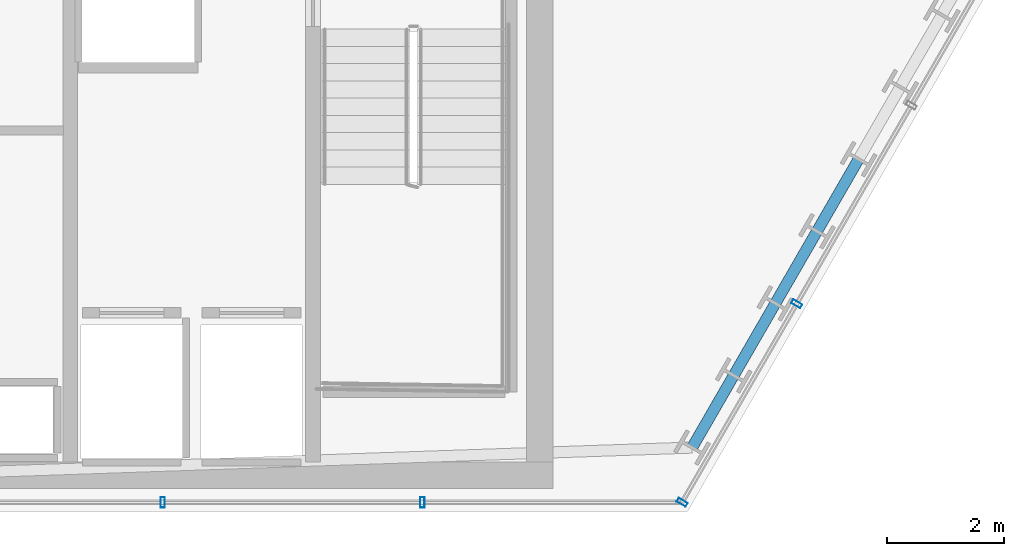
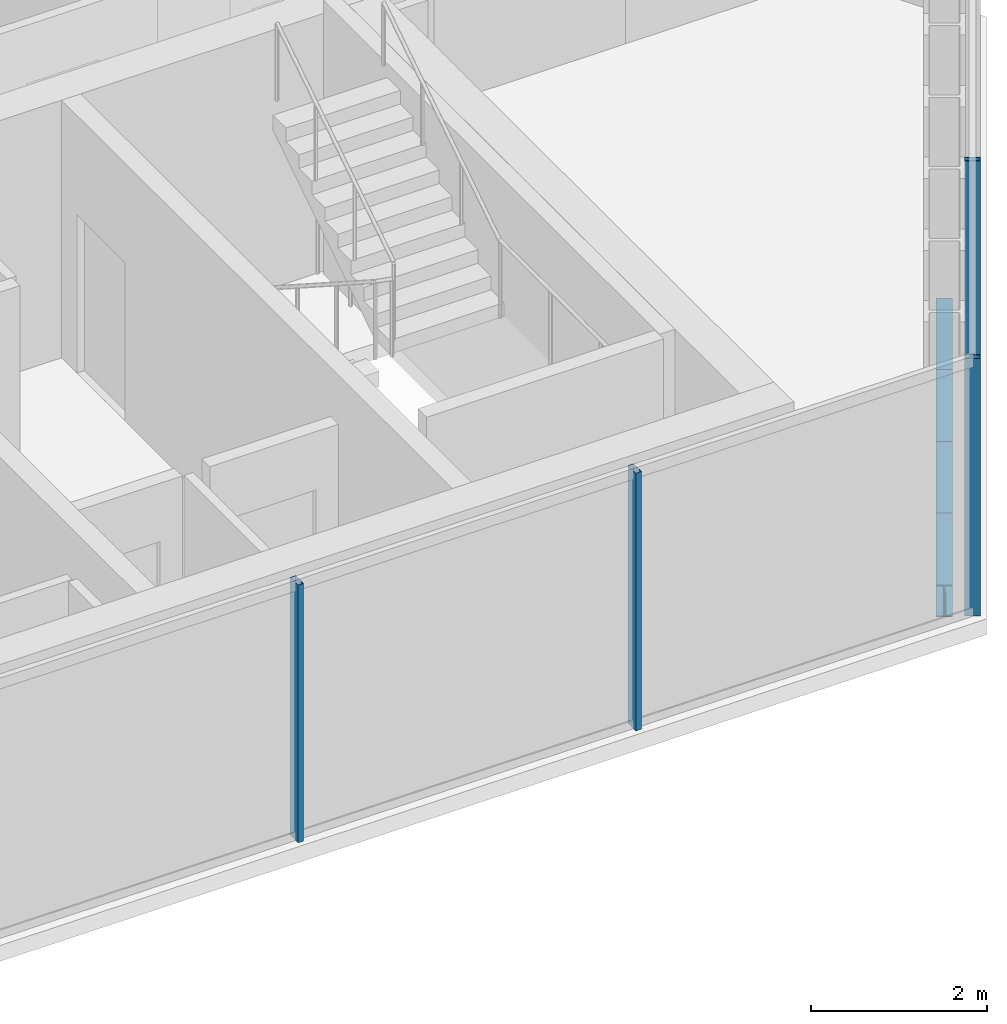
# One storey, part 15 of 31: 4 beams, 4 members, 2 elements without a shape of their own.
"""IFC4 building model written with IfcOpenShell, lengths in metres."""

from ifc_helpers import new_model, si_unit, direction, frame, origin, origin_2d, place, context, subcontext, project, spatial, hollow_rectangle, i_section, extrude, material, layer, layer_set, material_profile, profile_set, type_object, element, aggregate, save


model = new_model("IFC4")

# Units and contexts
model_context = context("Model", 3, precision=1e-05, world=origin(), true_north=direction((0.0, 1.0)))
body_context = subcontext(model_context, "Body", "Model", "MODEL_VIEW")
ifc_project = project(units=[si_unit("LENGTHUNIT", "METRE"), si_unit("AREAUNIT", "SQUARE_METRE"), si_unit("VOLUMEUNIT", "CUBIC_METRE"), si_unit("PLANEANGLEUNIT", "RADIAN"), si_unit("MASSUNIT", "GRAM", prefix="KILO")], contexts=[model_context])

# Site, building, storey
site_placement = place(None, origin())
site = spatial("IfcSite", under=ifc_project, at=site_placement, CompositionType="ELEMENT")
building_placement = place(site_placement, origin())
building = spatial("IfcBuilding", under=site, at=building_placement, Name="Ndaravel Arena Tower", CompositionType="ELEMENT")
storey_placement = place(building_placement, frame((0.0, 0.0, 138.39990234375)))
storey = spatial("IfcBuildingStorey", under=building, at=storey_placement, Name="L32", CompositionType="ELEMENT", Elevation=138.39990234375)

# Beams
ifc_material_1 = material(Name="Steel S355", Category="steel")
ifc_material_profile_1 = material_profile(ifc_material_1, i_section(OverallWidth=0.18994140625, OverallDepth=0.449951171875, WebThickness=0.009521484375, FlangeThickness=0.0146484375, FilletRadius=0.02099609375, at=origin_2d()), Name="IPE 450")
ifc_profile_set_1 = profile_set([ifc_material_profile_1], Name="Steel S355")
beam_type = type_object("IfcBeamType", Name="BM-SPAN-IPE450", PredefinedType="SPANDREL", material=ifc_profile_set_1)
for number, where, z_axis, x_axis, name in (
    (1, (59.931396484375, 6.096435546875, -0.44482421875), (0.500049018998, 0.865997100803, 0.0), (-0.865997100803, 0.500049018998, 0.0), "L32 Perimeter Spandrel Beam SP-02"),
    (2, (60.643310546875, 7.329345703125, -0.44482421875), (0.499920397431, 0.866071357471, 0.0), (-0.866071357471, 0.499920397431, 0.0), "L32 Perimeter Spandrel Beam SP-03"),
    (3, (61.35498046875, 8.562255859375, -0.44482421875), (0.500049018998, 0.865997100803, 0.0), (-0.865997100803, 0.500049018998, 0.0), "L32 Perimeter Spandrel Beam SP-04"),
    (4, (62.06689453125, 9.795166015625, -0.44482421875), (0.500049018998, 0.865997100803, 0.0), (-0.865997100803, 0.500049018998, 0.0), "L32 Perimeter Spandrel Beam SP-05"),
):
    element("IfcBeam", number, at=place(storey_placement, frame(where, z_axis=z_axis, x_axis=x_axis)), inside=storey, type_object=beam_type, Name=name, PredefinedType="SPANDREL", context=body_context, shape_type="SweptSolid", body=[
        extrude(i_section(OverallWidth=0.18994140625, OverallDepth=0.449951171875, WebThickness=0.009521484375, FlangeThickness=0.0146484375, FilletRadius=0.02099609375, at=origin_2d()), origin(), (0.0, 0.0, 1.0), 1.423583984375),
    ])

# Curtain wall, members
ifc_material_2 = material(Name="Aluminium", Category="aluminium")
ifc_layer_1 = layer(ifc_material_2, 0.179931640625)
ifc_layer_set_1 = layer_set([ifc_layer_1], Name="Aluminium")
curtain_wall_type_1 = type_object("IfcCurtainWallType", Name="CW-SYS-03", PredefinedType="NOTDEFINED", material=ifc_layer_set_1)
curtain_wall_1_placement = place(storey_placement, origin())
curtain_wall_1 = element("IfcCurtainWall", 5, at=curtain_wall_1_placement, inside=storey, type_object=curtain_wall_type_1, Name="L32 Faceted Crystal Curtain Wall CW-L32-E01", PredefinedType="NOTDEFINED")
ifc_material_3 = material(Name="Aluminium", Category="aluminium")
ifc_material_profile_2 = material_profile(ifc_material_3, hollow_rectangle(XDim=0.074951171875, YDim=0.179931640625, WallThickness=0.00390625, at=origin_2d()), Name="CW MULLION 75x180x4")
ifc_profile_set_2 = profile_set([ifc_material_profile_2], Name="Aluminium")
member_type = type_object("IfcMemberType", Name="MEM-CW-MUL180", PredefinedType="MULLION", material=ifc_profile_set_2)
member_1_placement = place(storey_placement, frame((50.880126953125, 5.159912109375, 0.0), z_axis=(0.0, 0.0, 1.0), x_axis=(1.0, 0.0, 0.0)))
member_1 = element("IfcMember", 6, at=member_1_placement, type_object=member_type, Name="CW-L32-E01 Mullion 06", PredefinedType="MULLION", context=body_context, shape_type="SweptSolid", body=[
    extrude(hollow_rectangle(XDim=0.074951171875, YDim=0.179931640625, WallThickness=0.00390625, at=origin_2d()), origin(), (0.0, 0.0, 1.0), 3.580078125),
])
member_2_placement = place(storey_placement, frame((55.320068359375, 5.159912109375, 0.0), z_axis=(0.0, 0.0, 1.0), x_axis=(1.0, 0.0, 0.0)))
member_2 = element("IfcMember", 7, at=member_2_placement, type_object=member_type, Name="CW-L32-E01 Mullion 07", PredefinedType="MULLION", context=body_context, shape_type="SweptSolid", body=[
    extrude(hollow_rectangle(XDim=0.074951171875, YDim=0.179931640625, WallThickness=0.00390625, at=origin_2d()), origin(), (0.0, 0.0, 1.0), 3.580078125),
])
aggregate(curtain_wall_1, [member_1, member_2])

ifc_material_4 = material(Name="Aluminium", Category="aluminium")
ifc_layer_2 = layer(ifc_material_4, 0.179931640625)
ifc_layer_set_2 = layer_set([ifc_layer_2], Name="Aluminium")
curtain_wall_type_2 = type_object("IfcCurtainWallType", Name="CW-SYS-01", PredefinedType="NOTDEFINED", material=ifc_layer_set_2)
curtain_wall_2_placement = place(storey_placement, origin())
curtain_wall_2 = element("IfcCurtainWall", 8, at=curtain_wall_2_placement, inside=storey, type_object=curtain_wall_type_2, Name="L32 Faceted Crystal Curtain Wall CW-L32-E02", PredefinedType="NOTDEFINED")
member_3_placement = place(storey_placement, frame((59.76025390625, 5.159912109375, 0.0), z_axis=(0.0, 0.0, 1.0), x_axis=(0.5, 0.866025403784, 0.0)))
member_3 = element("IfcMember", 9, at=member_3_placement, type_object=member_type, Name="CW-L32-E02 Mullion 00", PredefinedType="MULLION", context=body_context, shape_type="SweptSolid", body=[
    extrude(hollow_rectangle(XDim=0.074951171875, YDim=0.179931640625, WallThickness=0.00390625, at=origin_2d()), origin(), (0.0, 0.0, 1.0), 3.580078125),
])
member_4_placement = place(storey_placement, frame((61.719970703125, 8.554443359375, 0.0), z_axis=(0.0, 0.0, 1.0), x_axis=(0.5, 0.866025403784, 0.0)))
member_4 = element("IfcMember", 10, at=member_4_placement, type_object=member_type, Name="CW-L32-E02 Mullion 01", PredefinedType="MULLION", context=body_context, shape_type="SweptSolid", body=[
    extrude(hollow_rectangle(XDim=0.074951171875, YDim=0.179931640625, WallThickness=0.00390625, at=origin_2d()), origin(), (0.0, 0.0, 1.0), 3.580078125),
])
aggregate(curtain_wall_2, [member_3, member_4])

save(model, "model.ifc")
